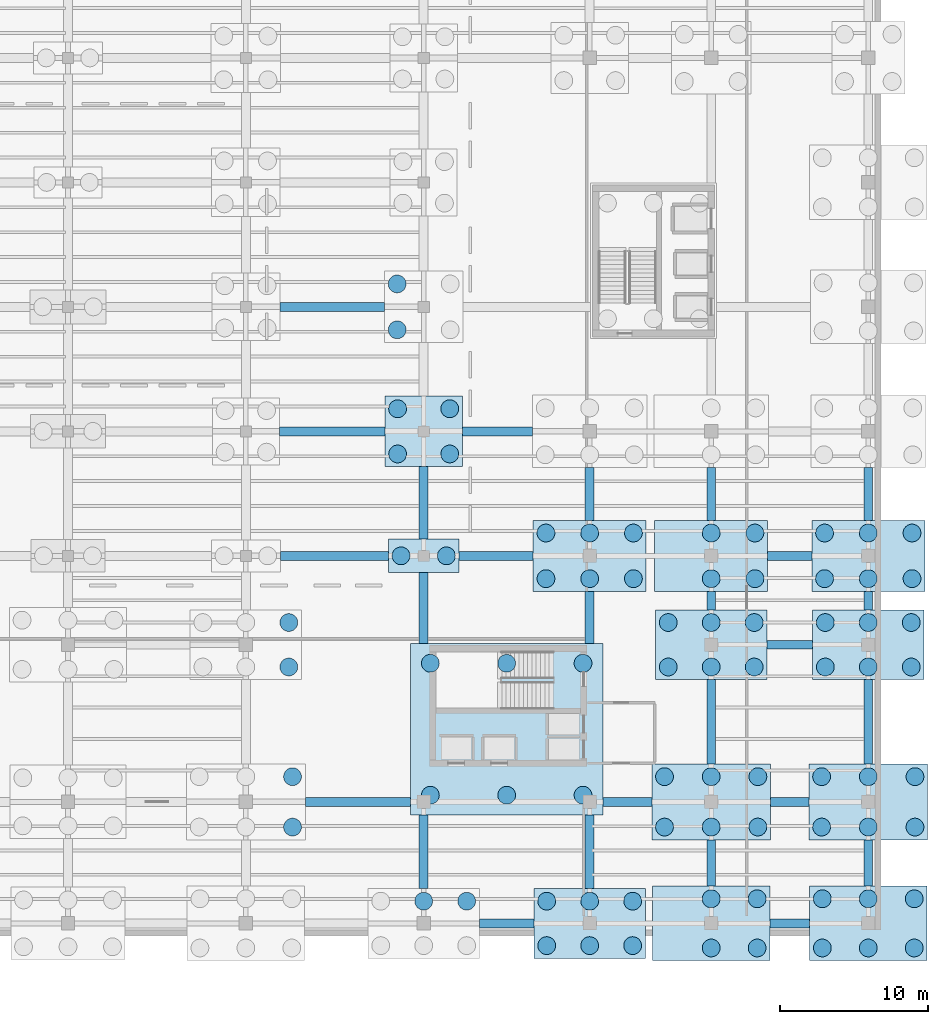
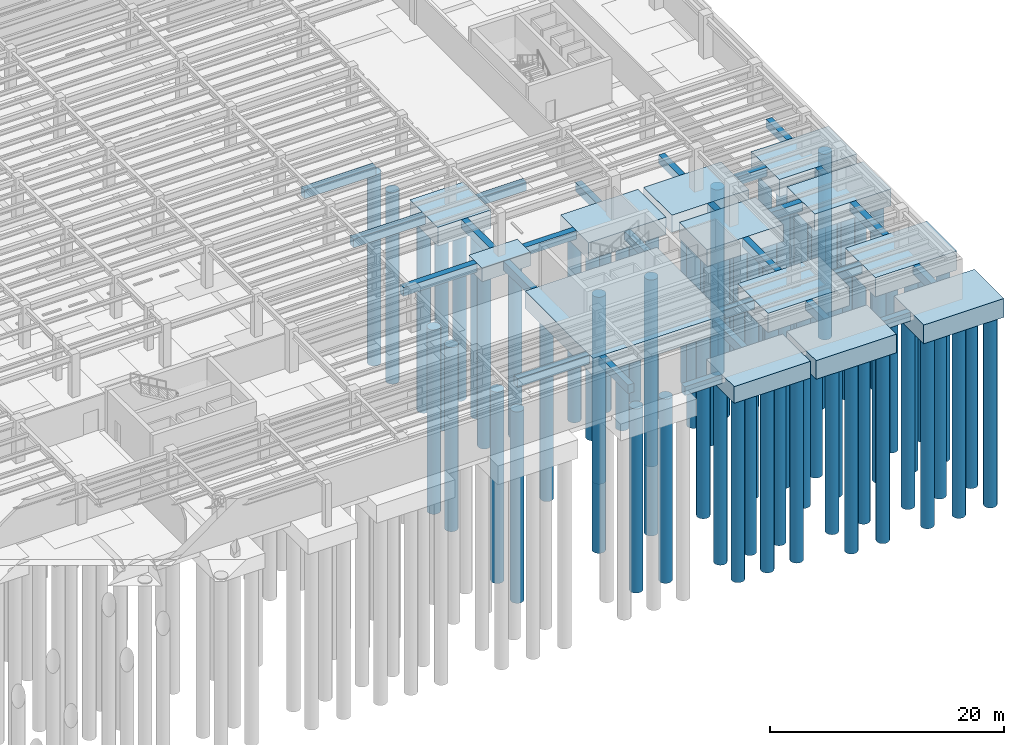
# One storey, part 14 of 49: 76 piles, 39 footings.
"""IFC4 building model written with IfcOpenShell, lengths in metres."""

from ifc_helpers import new_model, si_unit, direction, frame, origin, origin_2d, place, context, subcontext, project, spatial, rectangle, circle, extrude, material, material_profile, profile_set, type_object, element, save


model = new_model("IFC4")

# Units and contexts
model_context = context("Model", 3, precision=1e-05, world=origin(), true_north=direction((0.0, 1.0)))
body_context = subcontext(model_context, "Body", "Model", "MODEL_VIEW")
ifc_project = project(units=[si_unit("LENGTHUNIT", "METRE"), si_unit("AREAUNIT", "SQUARE_METRE"), si_unit("VOLUMEUNIT", "CUBIC_METRE"), si_unit("PLANEANGLEUNIT", "RADIAN"), si_unit("MASSUNIT", "GRAM", prefix="KILO")], contexts=[model_context])

# Site, building, storey
site_placement = place(None, origin())
site = spatial("IfcSite", under=ifc_project, at=site_placement, CompositionType="ELEMENT")
building_placement = place(site_placement, origin())
building = spatial("IfcBuilding", under=site, at=building_placement, Name="Sollismere Congress Hotel", CompositionType="ELEMENT")
storey_placement = place(building_placement, frame((0.0, 0.0, -4.5)))
storey = spatial("IfcBuildingStorey", under=building, at=storey_placement, Name="B1", CompositionType="ELEMENT", Elevation=-4.5)

# Footings
ifc_material = material(Name="Concrete C40/50", Category="concrete")
footing_type_1 = type_object("IfcFootingType", Name="FT-GB600", PredefinedType="FOOTING_BEAM", material=ifc_material)
footing_1_placement = place(storey_placement, frame((141.60009765625, 0.0, -0.89990234375), z_axis=(0.0, 0.0, 1.0), x_axis=(1.0, 0.0, 0.0)))
element("IfcFooting", 1, at=footing_1_placement, inside=storey, type_object=footing_type_1, Name="FTG-GB-006", PredefinedType="FOOTING_BEAM", context=body_context, shape_type="SweptSolid", body=[
    extrude(rectangle(XDim=3.679931640625, YDim=0.60009765625, at=origin_2d()), origin(), (0.0, 0.0, 1.0), 0.89990234375),
])
footing_2_placement = place(storey_placement, frame((160.699951171875, 0.0, -0.89990234375), z_axis=(0.0, 0.0, 1.0), x_axis=(1.0, 0.0, 0.0)))
element("IfcFooting", 2, at=footing_2_placement, inside=storey, type_object=footing_type_1, Name="FTG-GB-007", PredefinedType="FOOTING_BEAM", context=body_context, shape_type="SweptSolid", body=[
    extrude(rectangle(XDim=2.679931640625, YDim=0.60009765625, at=origin_2d()), origin(), (0.0, 0.0, 1.0), 0.89990234375),
])
footing_3_placement = place(storey_placement, frame((131.554931640625, 8.199951171875, -0.89990234375), z_axis=(0.0, 0.0, 1.0), x_axis=(1.0, 0.0, 0.0)))
element("IfcFooting", 3, at=footing_3_placement, inside=storey, type_object=footing_type_1, Name="FTG-GB-020", PredefinedType="FOOTING_BEAM", context=body_context, shape_type="SweptSolid", body=[
    extrude(rectangle(XDim=7.090087890625, YDim=0.60009765625, at=origin_2d()), origin(), (0.0, 0.0, 1.0), 0.89990234375),
])
footing_4_placement = place(storey_placement, frame((149.7451171875, 8.199951171875, -0.89990234375), z_axis=(0.0, 0.0, 1.0), x_axis=(1.0, 0.0, 0.0)))
element("IfcFooting", 4, at=footing_4_placement, inside=storey, type_object=footing_type_1, Name="FTG-GB-021", PredefinedType="FOOTING_BEAM", context=body_context, shape_type="SweptSolid", body=[
    extrude(rectangle(XDim=3.2900390625, YDim=0.60009765625, at=origin_2d()), origin(), (0.0, 0.0, 1.0), 0.89990234375),
])
footing_5_placement = place(storey_placement, frame((160.699951171875, 8.199951171875, -0.89990234375), z_axis=(0.0, 0.0, 1.0), x_axis=(1.0, 0.0, 0.0)))
element("IfcFooting", 5, at=footing_5_placement, inside=storey, type_object=footing_type_1, Name="FTG-GB-022", PredefinedType="FOOTING_BEAM", context=body_context, shape_type="SweptSolid", body=[
    extrude(rectangle(XDim=2.580078125, YDim=0.60009765625, at=origin_2d()), origin(), (0.0, 0.0, 1.0), 0.89990234375),
])
footing_6_placement = place(storey_placement, frame((160.699951171875, 18.800048828125, -0.89990234375), z_axis=(0.0, 0.0, 1.0), x_axis=(1.0, 0.0, 0.0)))
element("IfcFooting", 6, at=footing_6_placement, inside=storey, type_object=footing_type_1, Name="FTG-GB-031", PredefinedType="FOOTING_BEAM", context=body_context, shape_type="SweptSolid", body=[
    extrude(rectangle(XDim=3.080078125, YDim=0.60009765625, at=origin_2d()), origin(), (0.0, 0.0, 1.0), 0.89990234375),
])
footing_7_placement = place(storey_placement, frame((129.969970703125, 24.800048828125, -0.89990234375), z_axis=(0.0, 0.0, 1.0), x_axis=(1.0, 0.0, 0.0)))
element("IfcFooting", 7, at=footing_7_placement, inside=storey, type_object=footing_type_1, Name="FTG-GB-046", PredefinedType="FOOTING_BEAM", context=body_context, shape_type="SweptSolid", body=[
    extrude(rectangle(XDim=7.280029296875, YDim=0.60009765625, at=origin_2d()), origin(), (0.0, 0.0, 1.0), 0.89990234375),
])
footing_8_placement = place(storey_placement, frame((140.889892578125, 24.800048828125, -0.89990234375), z_axis=(0.0, 0.0, 1.0), x_axis=(1.0, 0.0, 0.0)))
element("IfcFooting", 8, at=footing_8_placement, inside=storey, type_object=footing_type_1, Name="FTG-GB-047", PredefinedType="FOOTING_BEAM", context=body_context, shape_type="SweptSolid", body=[
    extrude(rectangle(XDim=5.0, YDim=0.60009765625, at=origin_2d()), origin(), (0.0, 0.0, 1.0), 0.89990234375),
])
footing_9_placement = place(storey_placement, frame((160.699951171875, 24.800048828125, -0.89990234375), z_axis=(0.0, 0.0, 1.0), x_axis=(1.0, 0.0, 0.0)))
element("IfcFooting", 9, at=footing_9_placement, inside=storey, type_object=footing_type_1, Name="FTG-GB-048", PredefinedType="FOOTING_BEAM", context=body_context, shape_type="SweptSolid", body=[
    extrude(rectangle(XDim=2.97998046875, YDim=0.60009765625, at=origin_2d()), origin(), (0.0, 0.0, 1.0), 0.89990234375),
])
footing_10_placement = place(storey_placement, frame((129.820068359375, 33.199951171875, -0.89990234375), z_axis=(0.0, 0.0, 1.0), x_axis=(1.0, 0.0, 0.0)))
element("IfcFooting", 10, at=footing_10_placement, inside=storey, type_object=footing_type_1, Name="FTG-GB-063", PredefinedType="FOOTING_BEAM", context=body_context, shape_type="SweptSolid", body=[
    extrude(rectangle(XDim=7.1201171875, YDim=0.60009765625, at=origin_2d()), origin(), (0.0, 0.0, 1.0), 0.89990234375),
])
footing_11_placement = place(storey_placement, frame((140.97998046875, 33.199951171875, -0.89990234375), z_axis=(0.0, 0.0, 1.0), x_axis=(1.0, 0.0, 0.0)))
element("IfcFooting", 11, at=footing_11_placement, inside=storey, type_object=footing_type_1, Name="FTG-GB-064", PredefinedType="FOOTING_BEAM", context=body_context, shape_type="SweptSolid", body=[
    extrude(rectangle(XDim=4.719970703125, YDim=0.60009765625, at=origin_2d()), origin(), (0.0, 0.0, 1.0), 0.89990234375),
])
footing_12_placement = place(storey_placement, frame((129.820068359375, 41.60009765625, -0.89990234375), z_axis=(0.0, 0.0, 1.0), x_axis=(1.0, 0.0, 0.0)))
element("IfcFooting", 12, at=footing_12_placement, inside=storey, type_object=footing_type_1, Name="FTG-GB-080", PredefinedType="FOOTING_BEAM", context=body_context, shape_type="SweptSolid", body=[
    extrude(rectangle(XDim=7.06005859375, YDim=0.60009765625, at=origin_2d()), origin(), (0.0, 0.0, 1.0), 0.89990234375),
])
footing_13_placement = place(storey_placement, frame((136.0, 4.830078125, -0.89990234375), z_axis=(0.0, 0.0, 1.0), x_axis=(0.0, 1.0, 0.0)))
element("IfcFooting", 13, at=footing_13_placement, inside=storey, type_object=footing_type_1, Name="FTG-GB-396", PredefinedType="FOOTING_BEAM", context=body_context, shape_type="SweptSolid", body=[
    extrude(rectangle(XDim=4.93994140625, YDim=0.60009765625, at=origin_2d()), origin(), (0.0, 0.0, 1.0), 0.89990234375),
])
footing_14_placement = place(storey_placement, frame((136.0, 21.28759765625, -0.89990234375), z_axis=(0.0, 0.0, 1.0), x_axis=(0.0, 1.0, 0.0)))
element("IfcFooting", 14, at=footing_14_placement, inside=storey, type_object=footing_type_1, Name="FTG-GB-397", PredefinedType="FOOTING_BEAM", context=body_context, shape_type="SweptSolid", body=[
    extrude(rectangle(XDim=4.77490234375, YDim=0.60009765625, at=origin_2d()), origin(), (0.0, 0.0, 1.0), 0.89990234375),
])
footing_15_placement = place(storey_placement, frame((136.0, 28.3701171875, -0.89990234375), z_axis=(0.0, 0.0, 1.0), x_axis=(0.0, 1.0, 0.0)))
element("IfcFooting", 15, at=footing_15_placement, inside=storey, type_object=footing_type_1, Name="FTG-GB-398", PredefinedType="FOOTING_BEAM", context=body_context, shape_type="SweptSolid", body=[
    extrude(rectangle(XDim=4.889892578125, YDim=0.60009765625, at=origin_2d()), origin(), (0.0, 0.0, 1.0), 0.89990234375),
])
footing_16_placement = place(storey_placement, frame((147.199951171875, 4.830078125, -0.89990234375), z_axis=(0.0, 0.0, 1.0), x_axis=(0.0, 1.0, 0.0)))
element("IfcFooting", 16, at=footing_16_placement, inside=storey, type_object=footing_type_1, Name="FTG-GB-408", PredefinedType="FOOTING_BEAM", context=body_context, shape_type="SweptSolid", body=[
    extrude(rectangle(XDim=4.93994140625, YDim=0.60009765625, at=origin_2d()), origin(), (0.0, 0.0, 1.0), 0.89990234375),
])
footing_17_placement = place(storey_placement, frame((147.199951171875, 20.64990234375, -0.89990234375), z_axis=(0.0, 0.0, 1.0), x_axis=(0.0, 1.0, 0.0)))
element("IfcFooting", 17, at=footing_17_placement, inside=storey, type_object=footing_type_1, Name="FTG-GB-409", PredefinedType="FOOTING_BEAM", context=body_context, shape_type="SweptSolid", body=[
    extrude(rectangle(XDim=3.5, YDim=0.60009765625, at=origin_2d()), origin(), (0.0, 0.0, 1.0), 0.89990234375),
])
footing_18_placement = place(storey_placement, frame((147.199951171875, 28.97998046875, -0.89990234375), z_axis=(0.0, 0.0, 1.0), x_axis=(0.0, 1.0, 0.0)))
element("IfcFooting", 18, at=footing_18_placement, inside=storey, type_object=footing_type_1, Name="FTG-GB-410", PredefinedType="FOOTING_BEAM", context=body_context, shape_type="SweptSolid", body=[
    extrude(rectangle(XDim=3.56005859375, YDim=0.60009765625, at=origin_2d()), origin(), (0.0, 0.0, 1.0), 0.89990234375),
])
footing_19_placement = place(storey_placement, frame((155.39990234375, 4.080078125, -0.89990234375), z_axis=(0.0, 0.0, 1.0), x_axis=(0.0, 1.0, 0.0)))
element("IfcFooting", 19, at=footing_19_placement, inside=storey, type_object=footing_type_1, Name="FTG-GB-417", PredefinedType="FOOTING_BEAM", context=body_context, shape_type="SweptSolid", body=[
    extrude(rectangle(XDim=3.1201171875, YDim=0.60009765625, at=origin_2d()), origin(), (0.0, 0.0, 1.0), 0.89990234375),
])
footing_20_placement = place(storey_placement, frame((155.39990234375, 13.60009765625, -0.89990234375), z_axis=(0.0, 0.0, 1.0), x_axis=(0.0, 1.0, 0.0)))
element("IfcFooting", 20, at=footing_20_placement, inside=storey, type_object=footing_type_1, Name="FTG-GB-418", PredefinedType="FOOTING_BEAM", context=body_context, shape_type="SweptSolid", body=[
    extrude(rectangle(XDim=5.679931640625, YDim=0.60009765625, at=origin_2d()), origin(), (0.0, 0.0, 1.0), 0.89990234375),
])
footing_21_placement = place(storey_placement, frame((155.39990234375, 21.780029296875, -0.89990234375), z_axis=(0.0, 0.0, 1.0), x_axis=(0.0, 1.0, 0.0)))
element("IfcFooting", 21, at=footing_21_placement, inside=storey, type_object=footing_type_1, Name="FTG-GB-419", PredefinedType="FOOTING_BEAM", context=body_context, shape_type="SweptSolid", body=[
    extrude(rectangle(XDim=1.239990234375, YDim=0.60009765625, at=origin_2d()), origin(), (0.0, 0.0, 1.0), 0.89990234375),
])
footing_22_placement = place(storey_placement, frame((155.39990234375, 28.97998046875, -0.89990234375), z_axis=(0.0, 0.0, 1.0), x_axis=(0.0, 1.0, 0.0)))
element("IfcFooting", 22, at=footing_22_placement, inside=storey, type_object=footing_type_1, Name="FTG-GB-420", PredefinedType="FOOTING_BEAM", context=body_context, shape_type="SweptSolid", body=[
    extrude(rectangle(XDim=3.56005859375, YDim=0.60009765625, at=origin_2d()), origin(), (0.0, 0.0, 1.0), 0.89990234375),
])
footing_23_placement = place(storey_placement, frame((166.0, 4.080078125, -0.89990234375), z_axis=(0.0, 0.0, 1.0), x_axis=(0.0, 1.0, 0.0)))
element("IfcFooting", 23, at=footing_23_placement, inside=storey, type_object=footing_type_1, Name="FTG-GB-429", PredefinedType="FOOTING_BEAM", context=body_context, shape_type="SweptSolid", body=[
    extrude(rectangle(XDim=3.1201171875, YDim=0.60009765625, at=origin_2d()), origin(), (0.0, 0.0, 1.0), 0.89990234375),
])
footing_24_placement = place(storey_placement, frame((166.0, 13.60009765625, -0.89990234375), z_axis=(0.0, 0.0, 1.0), x_axis=(0.0, 1.0, 0.0)))
element("IfcFooting", 24, at=footing_24_placement, inside=storey, type_object=footing_type_1, Name="FTG-GB-430", PredefinedType="FOOTING_BEAM", context=body_context, shape_type="SweptSolid", body=[
    extrude(rectangle(XDim=5.679931640625, YDim=0.60009765625, at=origin_2d()), origin(), (0.0, 0.0, 1.0), 0.89990234375),
])
footing_25_placement = place(storey_placement, frame((166.0, 21.780029296875, -0.89990234375), z_axis=(0.0, 0.0, 1.0), x_axis=(0.0, 1.0, 0.0)))
element("IfcFooting", 25, at=footing_25_placement, inside=storey, type_object=footing_type_1, Name="FTG-GB-431", PredefinedType="FOOTING_BEAM", context=body_context, shape_type="SweptSolid", body=[
    extrude(rectangle(XDim=1.239990234375, YDim=0.60009765625, at=origin_2d()), origin(), (0.0, 0.0, 1.0), 0.89990234375),
])
footing_26_placement = place(storey_placement, frame((166.0, 28.97998046875, -0.89990234375), z_axis=(0.0, 0.0, 1.0), x_axis=(0.0, 1.0, 0.0)))
element("IfcFooting", 26, at=footing_26_placement, inside=storey, type_object=footing_type_1, Name="FTG-GB-432", PredefinedType="FOOTING_BEAM", context=body_context, shape_type="SweptSolid", body=[
    extrude(rectangle(XDim=3.56005859375, YDim=0.60009765625, at=origin_2d()), origin(), (0.0, 0.0, 1.0), 0.89990234375),
])
footing_type_2 = type_object("IfcFootingType", Name="FT-MAT-K1", PredefinedType="PILE_CAP", material=ifc_material)
footing_27_placement = place(storey_placement, frame((141.60009765625, 13.10009765625, -1.7998046875), z_axis=(0.0, 0.0, 1.0), x_axis=(1.0, 0.0, 0.0)))
element("IfcFooting", 27, at=footing_27_placement, inside=storey, type_object=footing_type_2, Name="Core pile cap mat PCM-K1", PredefinedType="PILE_CAP", context=body_context, shape_type="SweptSolid", body=[
    extrude(rectangle(XDim=13.0, YDim=11.60009765625, at=origin_2d()), origin(), (0.0, 0.0, 1.0), 1.800048828125),
])
footing_type_3 = type_object("IfcFootingType", Name="FT-PC2-04", PredefinedType="PILE_CAP", material=ifc_material)
footing_28_placement = place(storey_placement, frame((136.0, 24.800048828125, -1.419921875), z_axis=(0.0, 0.0, 1.0), x_axis=(1.0, 0.0, 0.0)))
element("IfcFooting", 28, at=footing_28_placement, inside=storey, type_object=footing_type_3, Name="Reinforced concrete pile cap PC-194", PredefinedType="PILE_CAP", context=body_context, shape_type="SweptSolid", body=[
    extrude(rectangle(XDim=4.780029296875, YDim=2.25, at=origin_2d()), origin(), (0.0, 0.0, 1.0), 1.419921875),
])
footing_type_4 = type_object("IfcFootingType", Name="FT-PC4-13", PredefinedType="PILE_CAP", material=ifc_material)
footing_29_placement = place(storey_placement, frame((136.0, 33.199951171875, -1.93017578125), z_axis=(0.0, 0.0, 1.0), x_axis=(1.0, 0.0, 0.0)))
element("IfcFooting", 29, at=footing_29_placement, inside=storey, type_object=footing_type_4, Name="Reinforced concrete pile cap PC-195", PredefinedType="PILE_CAP", context=body_context, shape_type="SweptSolid", body=[
    extrude(rectangle(XDim=5.239990234375, YDim=4.77001953125, at=origin_2d()), origin(), (0.0, 0.0, 1.0), 1.929931640625),
])
footing_type_5 = type_object("IfcFootingType", Name="FT-PC6-01", PredefinedType="PILE_CAP", material=ifc_material)
for number, where, z_axis, x_axis, name in (
    (30, (147.199951171875, 0.0, -1.75), (0.0, 0.0, 1.0), (1.0, 0.0, 0.0), "Reinforced concrete pile cap PC-205"),
    (31, (155.39990234375, 18.800048828125, -1.75), (0.0, 0.0, 1.0), (1.0, 0.0, 0.0), "Reinforced concrete pile cap PC-217"),
    (32, (166.0, 18.800048828125, -1.75), (0.0, 0.0, 1.0), (1.0, 0.0, 0.0), "Reinforced concrete pile cap PC-229"),
):
    element("IfcFooting", number, at=place(storey_placement, frame(where, z_axis=z_axis, x_axis=x_axis)), inside=storey, type_object=footing_type_5, Name=name, PredefinedType="PILE_CAP", context=body_context, shape_type="SweptSolid", body=[
        extrude(rectangle(XDim=7.52001953125, YDim=4.719970703125, at=origin_2d()), origin(), (0.0, 0.0, 1.0), 1.75),
    ])
footing_type_6 = type_object("IfcFootingType", Name="FT-PC6-02", PredefinedType="PILE_CAP", material=ifc_material)
for number, where, z_axis, x_axis, name in (
    (33, (147.199951171875, 24.800048828125, -1.7998046875), (0.0, 0.0, 1.0), (1.0, 0.0, 0.0), "Reinforced concrete pile cap PC-206"),
    (34, (155.39990234375, 24.800048828125, -1.7998046875), (0.0, 0.0, 1.0), (1.0, 0.0, 0.0), "Reinforced concrete pile cap PC-218"),
    (35, (166.0, 24.800048828125, -1.7998046875), (0.0, 0.0, 1.0), (1.0, 0.0, 0.0), "Reinforced concrete pile cap PC-230"),
):
    element("IfcFooting", number, at=place(storey_placement, frame(where, z_axis=z_axis, x_axis=x_axis)), inside=storey, type_object=footing_type_6, Name=name, PredefinedType="PILE_CAP", context=body_context, shape_type="SweptSolid", body=[
        extrude(rectangle(XDim=7.6201171875, YDim=4.800048828125, at=origin_2d()), origin(), (0.0, 0.0, 1.0), 1.800048828125),
    ])
footing_type_7 = type_object("IfcFootingType", Name="FT-PC6-05", PredefinedType="PILE_CAP", material=ifc_material)
for number, where, z_axis, x_axis, name in (
    (36, (155.39990234375, 0.0, -1.9501953125), (0.0, 0.0, 1.0), (1.0, 0.0, 0.0), "Reinforced concrete pile cap PC-215"),
    (37, (166.0, 0.0, -1.9501953125), (0.0, 0.0, 1.0), (1.0, 0.0, 0.0), "Reinforced concrete pile cap PC-227"),
):
    element("IfcFooting", number, at=place(storey_placement, frame(where, z_axis=z_axis, x_axis=x_axis)), inside=storey, type_object=footing_type_7, Name=name, PredefinedType="PILE_CAP", context=body_context, shape_type="SweptSolid", body=[
        extrude(rectangle(XDim=7.919921875, YDim=5.0400390625, at=origin_2d()), origin(), (0.0, 0.0, 1.0), 1.949951171875),
    ])
footing_type_8 = type_object("IfcFootingType", Name="FT-PC6-06", PredefinedType="PILE_CAP", material=ifc_material)
for number, where, z_axis, x_axis, name in (
    (38, (155.39990234375, 8.199951171875, -2.0), (0.0, 0.0, 1.0), (1.0, 0.0, 0.0), "Reinforced concrete pile cap PC-216"),
    (39, (166.0, 8.199951171875, -2.0), (0.0, 0.0, 1.0), (1.0, 0.0, 0.0), "Reinforced concrete pile cap PC-228"),
):
    element("IfcFooting", number, at=place(storey_placement, frame(where, z_axis=z_axis, x_axis=x_axis)), inside=storey, type_object=footing_type_8, Name=name, PredefinedType="PILE_CAP", context=body_context, shape_type="SweptSolid", body=[
        extrude(rectangle(XDim=8.02001953125, YDim=5.1201171875, at=origin_2d()), origin(), (0.0, 0.0, 1.0), 2.0),
    ])

# Piles
ifc_material_profile = material_profile(ifc_material, circle(Radius=0.60009765625, at=origin_2d()), Name="CAISSON1200")
ifc_profile_set = profile_set([ifc_material_profile], Name="Concrete C40/50")
pile_type = type_object("IfcPileType", Name="PL-CS1200", PredefinedType="BORED", material=ifc_profile_set)
for number, where, z_axis, x_axis, name in (
    (40, (127.14990234375, 6.5, -1.89990234375), (0.0, 0.0, -1.0), (1.0, 0.0, 0.0), "Bored rock-socketed caisson PL-573"),
    (41, (127.14990234375, 9.89990234375, -1.89990234375), (0.0, 0.0, -1.0), (1.0, 0.0, 0.0), "Bored rock-socketed caisson PL-576"),
):
    element("IfcPile", number, at=place(storey_placement, frame(where, z_axis=z_axis, x_axis=x_axis)), inside=storey, type_object=pile_type, Name=name, PredefinedType="BORED", context=body_context, shape_type="SweptSolid", body=[
        extrude(circle(Radius=0.60009765625, at=origin_2d()), origin(), (0.0, 0.0, 1.0), 19.949951171875),
    ])
for number, where, z_axis, x_axis, name in (
    (42, (126.89990234375, 17.300048828125, -1.64990234375), (0.0, 0.0, -1.0), (1.0, 0.0, 0.0), "Bored rock-socketed caisson PL-579"),
    (43, (126.89990234375, 20.300048828125, -1.64990234375), (0.0, 0.0, -1.0), (1.0, 0.0, 0.0), "Bored rock-socketed caisson PL-582"),
    (44, (136.0, 1.5, -1.64990234375), (0.0, 0.0, -1.0), (1.0, 0.0, 0.0), "Bored rock-socketed caisson PL-625"),
    (45, (138.89990234375, 1.5, -1.64990234375), (0.0, 0.0, -1.0), (1.0, 0.0, 0.0), "Bored rock-socketed caisson PL-626"),
):
    element("IfcPile", number, at=place(storey_placement, frame(where, z_axis=z_axis, x_axis=x_axis)), inside=storey, type_object=pile_type, Name=name, PredefinedType="BORED", context=body_context, shape_type="SweptSolid", body=[
        extrude(circle(Radius=0.60009765625, at=origin_2d()), origin(), (0.0, 0.0, 1.0), 19.199951171875),
    ])
for number, where, z_axis, x_axis, name in (
    (46, (134.469970703125, 24.800048828125, -1.320068359375), (0.0, 0.0, -1.0), (1.0, 0.0, 0.0), "Bored rock-socketed caisson PL-627"),
    (47, (137.530029296875, 24.800048828125, -1.320068359375), (0.0, 0.0, -1.0), (1.0, 0.0, 0.0), "Bored rock-socketed caisson PL-628"),
):
    element("IfcPile", number, at=place(storey_placement, frame(where, z_axis=z_axis, x_axis=x_axis)), inside=storey, type_object=pile_type, Name=name, PredefinedType="BORED", context=body_context, shape_type="SweptSolid", body=[
        extrude(circle(Radius=0.60009765625, at=origin_2d()), origin(), (0.0, 0.0, 1.0), 18.10009765625),
    ])
for number, where, z_axis, x_axis, name in (
    (48, (134.239990234375, 31.675048828125, -1.830078125), (0.0, 0.0, -1.0), (1.0, 0.0, 0.0), "Bored rock-socketed caisson PL-629"),
    (49, (137.760009765625, 31.675048828125, -1.830078125), (0.0, 0.0, -1.0), (1.0, 0.0, 0.0), "Bored rock-socketed caisson PL-630"),
    (50, (134.239990234375, 34.72509765625, -1.830078125), (0.0, 0.0, -1.0), (1.0, 0.0, 0.0), "Bored rock-socketed caisson PL-631"),
    (51, (137.760009765625, 34.72509765625, -1.830078125), (0.0, 0.0, -1.0), (1.0, 0.0, 0.0), "Bored rock-socketed caisson PL-632"),
):
    element("IfcPile", number, at=place(storey_placement, frame(where, z_axis=z_axis, x_axis=x_axis)), inside=storey, type_object=pile_type, Name=name, PredefinedType="BORED", context=body_context, shape_type="SweptSolid", body=[
        extrude(circle(Radius=0.60009765625, at=origin_2d()), origin(), (0.0, 0.0, 1.0), 19.800048828125),
    ])
for number, where, z_axis, x_axis, name in (
    (52, (134.2099609375, 40.050048828125, -1.8701171875), (0.0, 0.0, -1.0), (1.0, 0.0, 0.0), "Bored rock-socketed caisson PL-633"),
    (53, (134.2099609375, 43.14990234375, -1.8701171875), (0.0, 0.0, -1.0), (1.0, 0.0, 0.0), "Bored rock-socketed caisson PL-635"),
):
    element("IfcPile", number, at=place(storey_placement, frame(where, z_axis=z_axis, x_axis=x_axis)), inside=storey, type_object=pile_type, Name=name, PredefinedType="BORED", context=body_context, shape_type="SweptSolid", body=[
        extrude(circle(Radius=0.60009765625, at=origin_2d()), origin(), (0.0, 0.0, 1.0), 19.949951171875),
    ])
for number, where, z_axis, x_axis, name in (
    (54, (144.300048828125, -1.5, -1.64990234375), (0.0, 0.0, -1.0), (1.0, 0.0, 0.0), "Bored rock-socketed caisson PL-657"),
    (55, (147.199951171875, -1.5, -1.64990234375), (0.0, 0.0, -1.0), (1.0, 0.0, 0.0), "Bored rock-socketed caisson PL-658"),
    (56, (150.10009765625, -1.5, -1.64990234375), (0.0, 0.0, -1.0), (1.0, 0.0, 0.0), "Bored rock-socketed caisson PL-659"),
    (57, (144.300048828125, 1.5, -1.64990234375), (0.0, 0.0, -1.0), (1.0, 0.0, 0.0), "Bored rock-socketed caisson PL-660"),
    (58, (147.199951171875, 1.5, -1.64990234375), (0.0, 0.0, -1.0), (1.0, 0.0, 0.0), "Bored rock-socketed caisson PL-661"),
    (59, (150.10009765625, 1.5, -1.64990234375), (0.0, 0.0, -1.0), (1.0, 0.0, 0.0), "Bored rock-socketed caisson PL-662"),
):
    element("IfcPile", number, at=place(storey_placement, frame(where, z_axis=z_axis, x_axis=x_axis)), inside=storey, type_object=pile_type, Name=name, PredefinedType="BORED", context=body_context, shape_type="SweptSolid", body=[
        extrude(circle(Radius=0.60009765625, at=origin_2d()), origin(), (0.0, 0.0, 1.0), 19.199951171875),
    ])
for number, where, z_axis, x_axis, name in (
    (60, (144.25, 23.260009765625, -1.699951171875), (0.0, 0.0, -1.0), (1.0, 0.0, 0.0), "Bored rock-socketed caisson PL-663"),
    (61, (147.199951171875, 23.260009765625, -1.699951171875), (0.0, 0.0, -1.0), (1.0, 0.0, 0.0), "Bored rock-socketed caisson PL-664"),
    (62, (150.14990234375, 23.260009765625, -1.699951171875), (0.0, 0.0, -1.0), (1.0, 0.0, 0.0), "Bored rock-socketed caisson PL-665"),
    (63, (144.25, 26.340087890625, -1.699951171875), (0.0, 0.0, -1.0), (1.0, 0.0, 0.0), "Bored rock-socketed caisson PL-666"),
    (64, (147.199951171875, 26.340087890625, -1.699951171875), (0.0, 0.0, -1.0), (1.0, 0.0, 0.0), "Bored rock-socketed caisson PL-667"),
    (65, (150.14990234375, 26.340087890625, -1.699951171875), (0.0, 0.0, -1.0), (1.0, 0.0, 0.0), "Bored rock-socketed caisson PL-668"),
):
    element("IfcPile", number, at=place(storey_placement, frame(where, z_axis=z_axis, x_axis=x_axis)), inside=storey, type_object=pile_type, Name=name, PredefinedType="BORED", context=body_context, shape_type="SweptSolid", body=[
        extrude(circle(Radius=0.60009765625, at=origin_2d()), origin(), (0.0, 0.0, 1.0), 19.35009765625),
    ])
for number, where, z_axis, x_axis, name in (
    (66, (155.39990234375, -1.659912109375, -1.85009765625), (0.0, 0.0, -1.0), (1.0, 0.0, 0.0), "Bored rock-socketed caisson PL-693"),
    (67, (158.5, -1.659912109375, -1.85009765625), (0.0, 0.0, -1.0), (1.0, 0.0, 0.0), "Bored rock-socketed caisson PL-694"),
    (68, (155.39990234375, 1.659912109375, -1.85009765625), (0.0, 0.0, -1.0), (1.0, 0.0, 0.0), "Bored rock-socketed caisson PL-695"),
    (69, (158.5, 1.659912109375, -1.85009765625), (0.0, 0.0, -1.0), (1.0, 0.0, 0.0), "Bored rock-socketed caisson PL-696"),
):
    element("IfcPile", number, at=place(storey_placement, frame(where, z_axis=z_axis, x_axis=x_axis)), inside=storey, type_object=pile_type, Name=name, PredefinedType="BORED", context=body_context, shape_type="SweptSolid", body=[
        extrude(circle(Radius=0.60009765625, at=origin_2d()), origin(), (0.0, 0.0, 1.0), 19.800048828125),
    ])
for number, where, z_axis, x_axis, name in (
    (70, (152.25, 6.5, -1.89990234375), (0.0, 0.0, -1.0), (1.0, 0.0, 0.0), "Bored rock-socketed caisson PL-697"),
    (71, (155.39990234375, 6.5, -1.89990234375), (0.0, 0.0, -1.0), (1.0, 0.0, 0.0), "Bored rock-socketed caisson PL-698"),
    (72, (158.550048828125, 6.5, -1.89990234375), (0.0, 0.0, -1.0), (1.0, 0.0, 0.0), "Bored rock-socketed caisson PL-699"),
    (73, (152.25, 9.89990234375, -1.89990234375), (0.0, 0.0, -1.0), (1.0, 0.0, 0.0), "Bored rock-socketed caisson PL-700"),
    (74, (155.39990234375, 9.89990234375, -1.89990234375), (0.0, 0.0, -1.0), (1.0, 0.0, 0.0), "Bored rock-socketed caisson PL-701"),
    (75, (158.550048828125, 9.89990234375, -1.89990234375), (0.0, 0.0, -1.0), (1.0, 0.0, 0.0), "Bored rock-socketed caisson PL-702"),
):
    element("IfcPile", number, at=place(storey_placement, frame(where, z_axis=z_axis, x_axis=x_axis)), inside=storey, type_object=pile_type, Name=name, PredefinedType="BORED", context=body_context, shape_type="SweptSolid", body=[
        extrude(circle(Radius=0.60009765625, at=origin_2d()), origin(), (0.0, 0.0, 1.0), 19.949951171875),
    ])
for number, where, z_axis, x_axis, name in (
    (76, (152.5, 17.300048828125, -1.64990234375), (0.0, 0.0, -1.0), (1.0, 0.0, 0.0), "Bored rock-socketed caisson PL-703"),
    (77, (155.39990234375, 17.300048828125, -1.64990234375), (0.0, 0.0, -1.0), (1.0, 0.0, 0.0), "Bored rock-socketed caisson PL-704"),
    (78, (158.300048828125, 17.300048828125, -1.64990234375), (0.0, 0.0, -1.0), (1.0, 0.0, 0.0), "Bored rock-socketed caisson PL-705"),
    (79, (152.5, 20.300048828125, -1.64990234375), (0.0, 0.0, -1.0), (1.0, 0.0, 0.0), "Bored rock-socketed caisson PL-706"),
    (80, (155.39990234375, 20.300048828125, -1.64990234375), (0.0, 0.0, -1.0), (1.0, 0.0, 0.0), "Bored rock-socketed caisson PL-707"),
    (81, (158.300048828125, 20.300048828125, -1.64990234375), (0.0, 0.0, -1.0), (1.0, 0.0, 0.0), "Bored rock-socketed caisson PL-708"),
):
    element("IfcPile", number, at=place(storey_placement, frame(where, z_axis=z_axis, x_axis=x_axis)), inside=storey, type_object=pile_type, Name=name, PredefinedType="BORED", context=body_context, shape_type="SweptSolid", body=[
        extrude(circle(Radius=0.60009765625, at=origin_2d()), origin(), (0.0, 0.0, 1.0), 19.199951171875),
    ])
for number, where, z_axis, x_axis, name in (
    (82, (155.39990234375, 23.260009765625, -1.699951171875), (0.0, 0.0, -1.0), (1.0, 0.0, 0.0), "Bored rock-socketed caisson PL-709"),
    (83, (158.35009765625, 23.260009765625, -1.699951171875), (0.0, 0.0, -1.0), (1.0, 0.0, 0.0), "Bored rock-socketed caisson PL-710"),
    (84, (155.39990234375, 26.340087890625, -1.699951171875), (0.0, 0.0, -1.0), (1.0, 0.0, 0.0), "Bored rock-socketed caisson PL-711"),
    (85, (158.35009765625, 26.340087890625, -1.699951171875), (0.0, 0.0, -1.0), (1.0, 0.0, 0.0), "Bored rock-socketed caisson PL-712"),
):
    element("IfcPile", number, at=place(storey_placement, frame(where, z_axis=z_axis, x_axis=x_axis)), inside=storey, type_object=pile_type, Name=name, PredefinedType="BORED", context=body_context, shape_type="SweptSolid", body=[
        extrude(circle(Radius=0.60009765625, at=origin_2d()), origin(), (0.0, 0.0, 1.0), 19.35009765625),
    ])
for number, where, z_axis, x_axis, name in (
    (86, (162.89990234375, -1.659912109375, -1.85009765625), (0.0, 0.0, -1.0), (1.0, 0.0, 0.0), "Bored rock-socketed caisson PL-735"),
    (87, (166.0, -1.659912109375, -1.85009765625), (0.0, 0.0, -1.0), (1.0, 0.0, 0.0), "Bored rock-socketed caisson PL-736"),
    (88, (169.10009765625, -1.659912109375, -1.85009765625), (0.0, 0.0, -1.0), (1.0, 0.0, 0.0), "Bored rock-socketed caisson PL-737"),
    (89, (162.89990234375, 1.659912109375, -1.85009765625), (0.0, 0.0, -1.0), (1.0, 0.0, 0.0), "Bored rock-socketed caisson PL-738"),
    (90, (166.0, 1.659912109375, -1.85009765625), (0.0, 0.0, -1.0), (1.0, 0.0, 0.0), "Bored rock-socketed caisson PL-739"),
    (91, (169.10009765625, 1.659912109375, -1.85009765625), (0.0, 0.0, -1.0), (1.0, 0.0, 0.0), "Bored rock-socketed caisson PL-740"),
):
    element("IfcPile", number, at=place(storey_placement, frame(where, z_axis=z_axis, x_axis=x_axis)), inside=storey, type_object=pile_type, Name=name, PredefinedType="BORED", context=body_context, shape_type="SweptSolid", body=[
        extrude(circle(Radius=0.60009765625, at=origin_2d()), origin(), (0.0, 0.0, 1.0), 19.800048828125),
    ])
for number, where, z_axis, x_axis, name in (
    (92, (162.85009765625, 6.5, -1.89990234375), (0.0, 0.0, -1.0), (1.0, 0.0, 0.0), "Bored rock-socketed caisson PL-741"),
    (93, (166.0, 6.5, -1.89990234375), (0.0, 0.0, -1.0), (1.0, 0.0, 0.0), "Bored rock-socketed caisson PL-742"),
    (94, (169.14990234375, 6.5, -1.89990234375), (0.0, 0.0, -1.0), (1.0, 0.0, 0.0), "Bored rock-socketed caisson PL-743"),
    (95, (162.85009765625, 9.89990234375, -1.89990234375), (0.0, 0.0, -1.0), (1.0, 0.0, 0.0), "Bored rock-socketed caisson PL-744"),
    (96, (166.0, 9.89990234375, -1.89990234375), (0.0, 0.0, -1.0), (1.0, 0.0, 0.0), "Bored rock-socketed caisson PL-745"),
    (97, (169.14990234375, 9.89990234375, -1.89990234375), (0.0, 0.0, -1.0), (1.0, 0.0, 0.0), "Bored rock-socketed caisson PL-746"),
):
    element("IfcPile", number, at=place(storey_placement, frame(where, z_axis=z_axis, x_axis=x_axis)), inside=storey, type_object=pile_type, Name=name, PredefinedType="BORED", context=body_context, shape_type="SweptSolid", body=[
        extrude(circle(Radius=0.60009765625, at=origin_2d()), origin(), (0.0, 0.0, 1.0), 19.949951171875),
    ])
for number, where, z_axis, x_axis, name in (
    (98, (163.10009765625, 17.300048828125, -1.64990234375), (0.0, 0.0, -1.0), (1.0, 0.0, 0.0), "Bored rock-socketed caisson PL-747"),
    (99, (166.0, 17.300048828125, -1.64990234375), (0.0, 0.0, -1.0), (1.0, 0.0, 0.0), "Bored rock-socketed caisson PL-748"),
    (100, (168.89990234375, 17.300048828125, -1.64990234375), (0.0, 0.0, -1.0), (1.0, 0.0, 0.0), "Bored rock-socketed caisson PL-749"),
    (101, (163.10009765625, 20.300048828125, -1.64990234375), (0.0, 0.0, -1.0), (1.0, 0.0, 0.0), "Bored rock-socketed caisson PL-750"),
    (102, (166.0, 20.300048828125, -1.64990234375), (0.0, 0.0, -1.0), (1.0, 0.0, 0.0), "Bored rock-socketed caisson PL-751"),
    (103, (168.89990234375, 20.300048828125, -1.64990234375), (0.0, 0.0, -1.0), (1.0, 0.0, 0.0), "Bored rock-socketed caisson PL-752"),
):
    element("IfcPile", number, at=place(storey_placement, frame(where, z_axis=z_axis, x_axis=x_axis)), inside=storey, type_object=pile_type, Name=name, PredefinedType="BORED", context=body_context, shape_type="SweptSolid", body=[
        extrude(circle(Radius=0.60009765625, at=origin_2d()), origin(), (0.0, 0.0, 1.0), 19.199951171875),
    ])
for number, where, z_axis, x_axis, name in (
    (104, (163.050048828125, 23.260009765625, -1.699951171875), (0.0, 0.0, -1.0), (1.0, 0.0, 0.0), "Bored rock-socketed caisson PL-753"),
    (105, (166.0, 23.260009765625, -1.699951171875), (0.0, 0.0, -1.0), (1.0, 0.0, 0.0), "Bored rock-socketed caisson PL-754"),
    (106, (168.949951171875, 23.260009765625, -1.699951171875), (0.0, 0.0, -1.0), (1.0, 0.0, 0.0), "Bored rock-socketed caisson PL-755"),
    (107, (163.050048828125, 26.340087890625, -1.699951171875), (0.0, 0.0, -1.0), (1.0, 0.0, 0.0), "Bored rock-socketed caisson PL-756"),
    (108, (166.0, 26.340087890625, -1.699951171875), (0.0, 0.0, -1.0), (1.0, 0.0, 0.0), "Bored rock-socketed caisson PL-757"),
    (109, (168.949951171875, 26.340087890625, -1.699951171875), (0.0, 0.0, -1.0), (1.0, 0.0, 0.0), "Bored rock-socketed caisson PL-758"),
):
    element("IfcPile", number, at=place(storey_placement, frame(where, z_axis=z_axis, x_axis=x_axis)), inside=storey, type_object=pile_type, Name=name, PredefinedType="BORED", context=body_context, shape_type="SweptSolid", body=[
        extrude(circle(Radius=0.60009765625, at=origin_2d()), origin(), (0.0, 0.0, 1.0), 19.35009765625),
    ])
for number, where, z_axis, x_axis, name in (
    (110, (136.449951171875, 8.64990234375, -1.699951171875), (0.0, 0.0, -1.0), (1.0, 0.0, 0.0), "Bored rock-socketed caisson PL-813"),
    (111, (136.449951171875, 17.550048828125, -1.699951171875), (0.0, 0.0, -1.0), (1.0, 0.0, 0.0), "Bored rock-socketed caisson PL-814"),
    (112, (141.60009765625, 8.64990234375, -1.699951171875), (0.0, 0.0, -1.0), (1.0, 0.0, 0.0), "Bored rock-socketed caisson PL-815"),
    (113, (141.60009765625, 17.550048828125, -1.699951171875), (0.0, 0.0, -1.0), (1.0, 0.0, 0.0), "Bored rock-socketed caisson PL-816"),
    (114, (146.75, 8.64990234375, -1.699951171875), (0.0, 0.0, -1.0), (1.0, 0.0, 0.0), "Bored rock-socketed caisson PL-817"),
    (115, (146.75, 17.550048828125, -1.699951171875), (0.0, 0.0, -1.0), (1.0, 0.0, 0.0), "Bored rock-socketed caisson PL-818"),
):
    element("IfcPile", number, at=place(storey_placement, frame(where, z_axis=z_axis, x_axis=x_axis)), inside=storey, type_object=pile_type, Name=name, PredefinedType="BORED", context=body_context, shape_type="SweptSolid", body=[
        extrude(circle(Radius=0.60009765625, at=origin_2d()), origin(), (0.0, 0.0, 1.0), 19.5),
    ])

save(model, "model.ifc")
